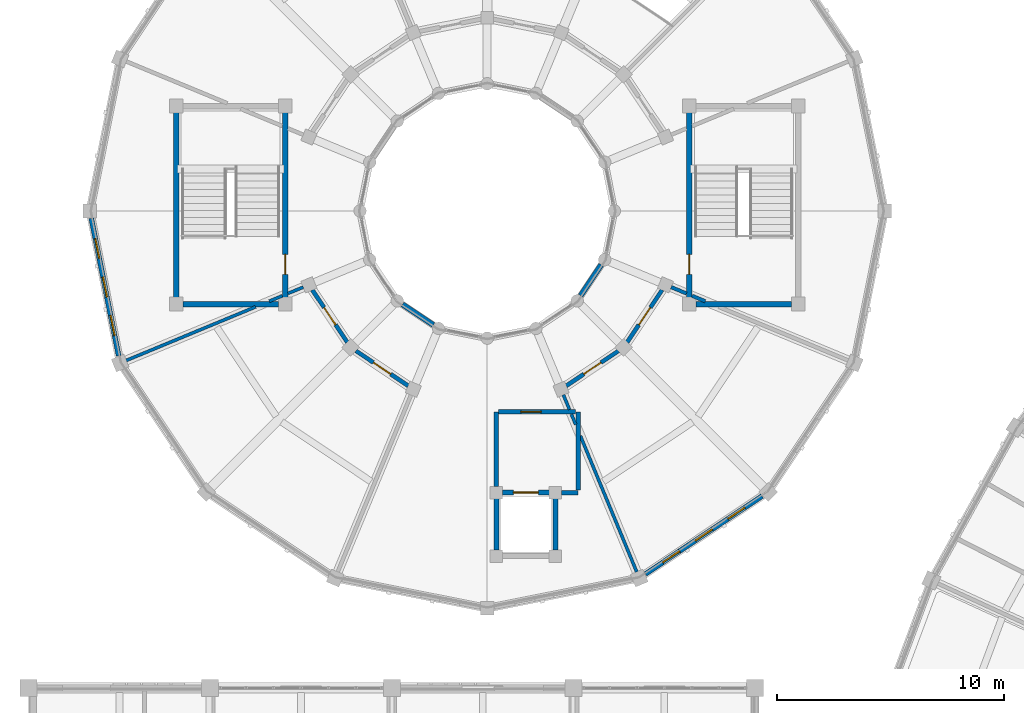
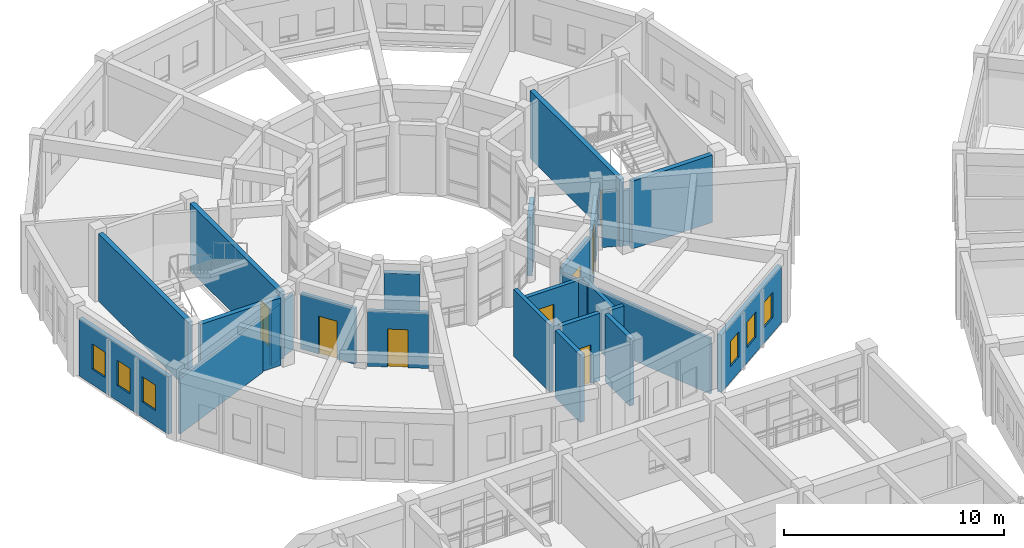
# One storey, part 127 of 159: 28 walls, 8 doors, 6 windows, 14 openings.
"""IFC4 building model written with IfcOpenShell, lengths in metres."""

from ifc_helpers import new_model, si_unit, direction, frame, frame_2d, origin, place, context, subcontext, project, spatial, rectangle, extrude, material, layer, layer_set, type_object, element, fill, save


model = new_model("IFC4")

# Units and contexts
model_context = context("Model", 3, precision=1e-05, world=origin(), true_north=direction((0.0, 1.0)))
body_context = subcontext(model_context, "Body", "Model", "MODEL_VIEW")
ifc_project = project(units=[si_unit("LENGTHUNIT", "METRE"), si_unit("AREAUNIT", "SQUARE_METRE"), si_unit("VOLUMEUNIT", "CUBIC_METRE"), si_unit("PLANEANGLEUNIT", "RADIAN"), si_unit("MASSUNIT", "GRAM", prefix="KILO")], contexts=[model_context])

# Site, building, storey
site_placement = place(None, origin())
site = spatial("IfcSite", under=ifc_project, at=site_placement, CompositionType="ELEMENT")
building_placement = place(site_placement, origin())
building = spatial("IfcBuilding", under=site, at=building_placement, Name="Celadon Cloister-Ring School", CompositionType="ELEMENT")
storey_placement = place(building_placement, frame((0.0, 0.0, 4.5)))
storey = spatial("IfcBuildingStorey", under=building, at=storey_placement, Name="L01", CompositionType="ELEMENT", Elevation=4.5)

# Walls
ifc_material_1 = material(Name="Rendered concrete blockwork", Category="masonry")
ifc_layer_1 = layer(ifc_material_1, 0.239990234375)
ifc_layer_set_1 = layer_set([ifc_layer_1], Name="Rendered concrete blockwork")
wall_type_1 = type_object("IfcWallType", Name="WT-EX3", PredefinedType="SOLIDWALL", material=ifc_layer_set_1)
for number, where, z_axis, x_axis, name in (
    (1, (16.469970703125, 92.885986328125, 0.0), (0.0, 0.0, 1.0), (0.83165874011, -0.555287078904, 0.0), "Exterior Wall 0244"),
    (2, (24.31396484375, 93.27001953125, 0.0), (0.0, 0.0, 1.0), (0.555287078904, 0.83165874011, 0.0), "Exterior Wall 0249"),
):
    element("IfcWall", number, at=place(storey_placement, frame(where, z_axis=z_axis, x_axis=x_axis)), inside=storey, type_object=wall_type_1, Name=name, PredefinedType="SOLIDWALL", context=body_context, shape_type="SweptSolid", body=[
        extrude(rectangle(XDim=1.631591796875, YDim=0.239990234375, at=frame_2d((0.81591796875, 0.0))), origin(), (0.0, 0.0, 1.0), 3.221923828125),
    ])

# Wall, openings, windows
ifc_material_2 = material(Name="Perforated terracotta clay brick masonry", Category="masonry")
ifc_layer_2 = layer(ifc_material_2, 0.219970703125)
ifc_layer_set_2 = layer_set([ifc_layer_2], Name="Perforated terracotta clay brick masonry")
wall_type_2 = type_object("IfcWallType", Name="WT-EX4", PredefinedType="SOLIDWALL", material=ifc_layer_set_2)
wall_1_placement = place(storey_placement, frame((3.968017578125, 90.6259765625, 0.0), z_axis=(0.0, 0.0, 1.0), x_axis=(-0.195164813773, 0.980770460131, 0.0)))
wall_1 = element("IfcWall", 3, at=wall_1_placement, inside=storey, type_object=wall_type_2, Name="Exterior Wall 0241", PredefinedType="SOLIDWALL", context=body_context, shape_type="SweptSolid", body=[
    extrude(rectangle(XDim=6.169677734375, YDim=0.219970703125, at=frame_2d((3.0849609375, 0.0))), origin(), (0.0, 0.0, 1.0), 3.172119140625),
])
opening_1_placement = place(wall_1_placement, frame((0.906982421875, 0.0, 0.85009765625)))
opening_1 = element("IfcOpeningElement", 4, at=opening_1_placement, cuts=wall_1, Name="Opening WN-21", PredefinedType="OPENING", context=body_context, shape_type="SweptSolid", body=[
    extrude(rectangle(XDim=0.89990234375, YDim=1.39990234375, at=frame_2d((0.449951171875, 0.699951171875))), frame((0.0, 0.1201171875, 0.0), z_axis=(0.0, -1.0, 0.0), x_axis=(1.0, 0.0, 0.0)), (0.0, 0.0, 1.0), 0.239990234375),
])
opening_2_placement = place(wall_1_placement, frame((2.635009765625, 0.0, 0.85009765625)))
opening_2 = element("IfcOpeningElement", 5, at=opening_2_placement, cuts=wall_1, Name="Opening WN-21", PredefinedType="OPENING", context=body_context, shape_type="SweptSolid", body=[
    extrude(rectangle(XDim=0.89990234375, YDim=1.39990234375, at=frame_2d((0.449951171875, 0.699951171875))), frame((0.0, 0.1201171875, 0.0), z_axis=(0.0, -1.0, 0.0), x_axis=(1.0, 0.0, 0.0)), (0.0, 0.0, 1.0), 0.239990234375),
])
opening_3_placement = place(wall_1_placement, frame((4.362060546875, 0.0, 0.85009765625)))
opening_3 = element("IfcOpeningElement", 6, at=opening_3_placement, cuts=wall_1, Name="Opening WN-21", PredefinedType="OPENING", context=body_context, shape_type="SweptSolid", body=[
    extrude(rectangle(XDim=0.89990234375, YDim=1.39990234375, at=frame_2d((0.449951171875, 0.699951171875))), frame((0.0, 0.1201171875, 0.0), z_axis=(0.0, -1.0, 0.0), x_axis=(1.0, 0.0, 0.0)), (0.0, 0.0, 1.0), 0.239990234375),
])
ifc_material_3 = material(Name="Tempered laminated insulating glass", Category="glass")
window_type = type_object("IfcWindowType", Name="WN-21", PartitioningType="SINGLE_PANEL", PredefinedType="WINDOW", material=ifc_material_3)
window_1_placement = place(opening_1_placement, origin())
window_1 = element("IfcWindow", 7, at=window_1_placement, inside=storey, type_object=window_type, Name="Window 0643", OverallHeight=1.39990234375, OverallWidth=0.89990234375, PartitioningType="SINGLE_PANEL", PredefinedType="WINDOW", context=body_context, shape_type="SweptSolid", body=[
    extrude(rectangle(XDim=0.89990234375, YDim=1.39990234375, at=frame_2d((0.449951171875, 0.699951171875))), frame((0.0, 0.030029296875, 0.0), z_axis=(0.0, -1.0, 0.0), x_axis=(1.0, 0.0, 0.0)), (0.0, 0.0, 1.0), 0.06005859375),
])
fill(opening_1, window_1)
window_2_placement = place(opening_2_placement, origin())
window_2 = element("IfcWindow", 8, at=window_2_placement, inside=storey, type_object=window_type, Name="Window 0644", OverallHeight=1.39990234375, OverallWidth=0.89990234375, PartitioningType="SINGLE_PANEL", PredefinedType="WINDOW", context=body_context, shape_type="SweptSolid", body=[
    extrude(rectangle(XDim=0.89990234375, YDim=1.39990234375, at=frame_2d((0.449951171875, 0.699951171875))), frame((0.0, 0.030029296875, 0.0), z_axis=(0.0, -1.0, 0.0), x_axis=(1.0, 0.0, 0.0)), (0.0, 0.0, 1.0), 0.06005859375),
])
fill(opening_2, window_2)
window_3_placement = place(opening_3_placement, origin())
window_3 = element("IfcWindow", 9, at=window_3_placement, inside=storey, type_object=window_type, Name="Window 0645", OverallHeight=1.39990234375, OverallWidth=0.89990234375, PartitioningType="SINGLE_PANEL", PredefinedType="WINDOW", context=body_context, shape_type="SweptSolid", body=[
    extrude(rectangle(XDim=0.89990234375, YDim=1.39990234375, at=frame_2d((0.449951171875, 0.699951171875))), frame((0.0, 0.030029296875, 0.0), z_axis=(0.0, -1.0, 0.0), x_axis=(1.0, 0.0, 0.0)), (0.0, 0.0, 1.0), 0.06005859375),
])
fill(opening_3, window_3)

wall_2_placement = place(storey_placement, frame((32.300048828125, 84.443115234375, 0.0), z_axis=(0.0, 0.0, 1.0), x_axis=(-0.831392186772, -0.55568609104, 0.0)))
wall_2 = element("IfcWall", 10, at=wall_2_placement, inside=storey, type_object=wall_type_2, Name="Exterior Wall 0247", PredefinedType="SOLIDWALL", context=body_context, shape_type="SweptSolid", body=[
    extrude(rectangle(XDim=6.16943359375, YDim=0.219970703125, at=frame_2d((3.084716796875, 0.0))), origin(), (0.0, 0.0, 1.0), 3.172119140625),
])
opening_4_placement = place(wall_2_placement, frame((0.906982421875, 0.0, 0.85009765625)))
opening_4 = element("IfcOpeningElement", 11, at=opening_4_placement, cuts=wall_2, Name="Opening WN-21", PredefinedType="OPENING", context=body_context, shape_type="SweptSolid", body=[
    extrude(rectangle(XDim=0.89990234375, YDim=1.39990234375, at=frame_2d((0.449951171875, 0.699951171875))), frame((0.0, 0.1201171875, 0.0), z_axis=(0.0, -1.0, 0.0), x_axis=(1.0, 0.0, 0.0)), (0.0, 0.0, 1.0), 0.239990234375),
])
opening_5_placement = place(wall_2_placement, frame((2.635009765625, 0.0, 0.85009765625)))
opening_5 = element("IfcOpeningElement", 12, at=opening_5_placement, cuts=wall_2, Name="Opening WN-21", PredefinedType="OPENING", context=body_context, shape_type="SweptSolid", body=[
    extrude(rectangle(XDim=0.89990234375, YDim=1.39990234375, at=frame_2d((0.449951171875, 0.699951171875))), frame((0.0, 0.1201171875, 0.0), z_axis=(0.0, -1.0, 0.0), x_axis=(1.0, 0.0, 0.0)), (0.0, 0.0, 1.0), 0.239990234375),
])
opening_6_placement = place(wall_2_placement, frame((4.362060546875, 0.0, 0.85009765625)))
opening_6 = element("IfcOpeningElement", 13, at=opening_6_placement, cuts=wall_2, Name="Opening WN-21", PredefinedType="OPENING", context=body_context, shape_type="SweptSolid", body=[
    extrude(rectangle(XDim=0.89990234375, YDim=1.39990234375, at=frame_2d((0.449951171875, 0.699951171875))), frame((0.0, 0.1201171875, 0.0), z_axis=(0.0, -1.0, 0.0), x_axis=(1.0, 0.0, 0.0)), (0.0, 0.0, 1.0), 0.239990234375),
])
window_4_placement = place(opening_4_placement, origin())
window_4 = element("IfcWindow", 14, at=window_4_placement, inside=storey, type_object=window_type, Name="Window 0658", OverallHeight=1.39990234375, OverallWidth=0.89990234375, PartitioningType="SINGLE_PANEL", PredefinedType="WINDOW", context=body_context, shape_type="SweptSolid", body=[
    extrude(rectangle(XDim=0.89990234375, YDim=1.39990234375, at=frame_2d((0.449951171875, 0.699951171875))), frame((0.0, 0.030029296875, 0.0), z_axis=(0.0, -1.0, 0.0), x_axis=(1.0, 0.0, 0.0)), (0.0, 0.0, 1.0), 0.06005859375),
])
fill(opening_4, window_4)
window_5_placement = place(opening_5_placement, origin())
window_5 = element("IfcWindow", 15, at=window_5_placement, inside=storey, type_object=window_type, Name="Window 0659", OverallHeight=1.39990234375, OverallWidth=0.89990234375, PartitioningType="SINGLE_PANEL", PredefinedType="WINDOW", context=body_context, shape_type="SweptSolid", body=[
    extrude(rectangle(XDim=0.89990234375, YDim=1.39990234375, at=frame_2d((0.449951171875, 0.699951171875))), frame((0.0, 0.030029296875, 0.0), z_axis=(0.0, -1.0, 0.0), x_axis=(1.0, 0.0, 0.0)), (0.0, 0.0, 1.0), 0.06005859375),
])
fill(opening_5, window_5)
window_6_placement = place(opening_6_placement, origin())
window_6 = element("IfcWindow", 16, at=window_6_placement, inside=storey, type_object=window_type, Name="Window 0660", OverallHeight=1.39990234375, OverallWidth=0.89990234375, PartitioningType="SINGLE_PANEL", PredefinedType="WINDOW", context=body_context, shape_type="SweptSolid", body=[
    extrude(rectangle(XDim=0.89990234375, YDim=1.39990234375, at=frame_2d((0.449951171875, 0.699951171875))), frame((0.0, 0.030029296875, 0.0), z_axis=(0.0, -1.0, 0.0), x_axis=(1.0, 0.0, 0.0)), (0.0, 0.0, 1.0), 0.06005859375),
])
fill(opening_6, window_6)

# Walls
ifc_material_4 = material(Name="Plastered hollow concrete masonry", Category="masonry")
ifc_layer_3 = layer(ifc_material_4, 0.199951171875)
ifc_layer_set_3 = layer_set([ifc_layer_3], Name="Plastered hollow concrete masonry")
wall_type_3 = type_object("IfcWallType", Name="WT-PT1", PredefinedType="PARTITIONING", material=ifc_layer_set_3)
wall_3_placement = place(storey_placement, frame((23.467041015625, 84.60009765625, 0.0), z_axis=(0.0, 0.0, 1.0), x_axis=(1.0, 0.0, 0.0)))
element("IfcWall", 17, at=wall_3_placement, inside=storey, type_object=wall_type_3, Name="Interior Wall 0347", PredefinedType="PARTITIONING", context=body_context, shape_type="SweptSolid", body=[
    extrude(rectangle(XDim=0.73291015625, YDim=0.199951171875, at=frame_2d((0.366455078125, 0.0))), origin(), (0.0, 0.0, 1.0), 3.699951171875),
])
wall_4_placement = place(storey_placement, frame((20.60009765625, 84.866943359375, 0.0), z_axis=(0.0, 0.0, 1.0), x_axis=(0.0, 1.0, 0.0)))
element("IfcWall", 18, at=wall_4_placement, inside=storey, type_object=wall_type_3, Name="Interior Wall 0348", PredefinedType="PARTITIONING", context=body_context, shape_type="SweptSolid", body=[
    extrude(rectangle(XDim=3.282958984375, YDim=0.199951171875, at=frame_2d((1.6416015625, 0.0))), origin(), (0.0, 0.0, 1.0), 3.699951171875),
])
wall_5_placement = place(storey_placement, frame((24.199951171875, 84.702880859375, 0.0), z_axis=(0.0, 0.0, 1.0), x_axis=(0.0, 1.0, 0.0)))
element("IfcWall", 19, at=wall_5_placement, inside=storey, type_object=wall_type_3, Name="Interior Wall 0349", PredefinedType="PARTITIONING", context=body_context, shape_type="SweptSolid", body=[
    extrude(rectangle(XDim=3.447021484375, YDim=0.199951171875, at=frame_2d((1.7236328125, 0.0))), origin(), (0.0, 0.0, 1.0), 3.072021484375),
])

# Wall, opening, door
wall_6_placement = place(storey_placement, frame((20.702880859375, 88.14990234375, 0.0), z_axis=(0.0, 0.0, 1.0), x_axis=(1.0, 0.0, 0.0)))
wall_6 = element("IfcWall", 20, at=wall_6_placement, inside=storey, type_object=wall_type_3, Name="Interior Wall 0350", PredefinedType="PARTITIONING", context=body_context, shape_type="SweptSolid", body=[
    extrude(rectangle(XDim=3.39404296875, YDim=0.199951171875, at=frame_2d((1.697021484375, 0.0))), origin(), (0.0, 0.0, 1.0), 3.072021484375),
])
opening_7_placement = place(wall_6_placement, frame((0.97509765625, 0.0, 0.0)))
opening_7 = element("IfcOpeningElement", 21, at=opening_7_placement, cuts=wall_6, Name="Opening D-0102", PredefinedType="OPENING", context=body_context, shape_type="SweptSolid", body=[
    extrude(rectangle(XDim=0.89990234375, YDim=2.199951171875, at=frame_2d((0.449951171875, 1.10009765625))), frame((0.0, 0.10986328125, 0.0), z_axis=(0.0, -1.0, 0.0), x_axis=(1.0, 0.0, 0.0)), (0.0, 0.0, 1.0), 0.219970703125),
])
ifc_material_5 = material(Name="Solid-core fire-rated hardwood leaf", Category="wood")
door_type_1 = type_object("IfcDoorType", Name="DT-06", OperationType="NOTDEFINED", PredefinedType="DOOR", material=ifc_material_5)
door_1_placement = place(opening_7_placement, origin())
door_1 = element("IfcDoor", 22, at=door_1_placement, inside=storey, type_object=door_type_1, Name="Door D-0102", OperationType="SINGLE_SWING_RIGHT", OverallHeight=2.199951171875, OverallWidth=0.89990234375, PredefinedType="DOOR", context=body_context, shape_type="SweptSolid", body=[
    extrude(rectangle(XDim=0.89990234375, YDim=2.199951171875, at=frame_2d((0.449951171875, 1.10009765625))), frame((0.0, 0.02490234375, 0.0), z_axis=(0.0, -1.0, 0.0), x_axis=(1.0, 0.0, 0.0)), (0.0, 0.0, 1.0), 0.050048828125),
])
fill(opening_7, door_1)

ifc_material_6 = material(Name="Plastered hollow concrete masonry", Category="masonry")
ifc_layer_4 = layer(ifc_material_6, 0.179931640625)
ifc_layer_set_4 = layer_set([ifc_layer_4], Name="Plastered hollow concrete masonry")
wall_type_4 = type_object("IfcWallType", Name="WT-PT2", PredefinedType="PARTITIONING", material=ifc_layer_set_4)
wall_7_placement = place(storey_placement, frame((12.498046875, 93.52099609375, 0.0), z_axis=(0.0, 0.0, 1.0), x_axis=(0.555797002478, -0.831318045056, 0.0)))
wall_7 = element("IfcWall", 23, at=wall_7_placement, inside=storey, type_object=wall_type_4, Name="Interior Wall 0694", PredefinedType="PARTITIONING", context=body_context, shape_type="SweptSolid", body=[
    extrude(rectangle(XDim=2.772705078125, YDim=0.179931640625, at=frame_2d((1.38623046875, 0.0))), origin(), (0.0, 0.0, 1.0), 3.072021484375),
])
opening_8_placement = place(wall_7_placement, frame((0.926025390625, 0.0, 0.0)))
opening_8 = element("IfcOpeningElement", 24, at=opening_8_placement, cuts=wall_7, Name="Opening D-0254", PredefinedType="OPENING", context=body_context, shape_type="SweptSolid", body=[
    extrude(rectangle(XDim=0.919921875, YDim=2.10009765625, at=frame_2d((0.4599609375, 1.050048828125))), frame((0.0, 0.10009765625, 0.0), z_axis=(0.0, -1.0, 0.0), x_axis=(1.0, 0.0, 0.0)), (0.0, 0.0, 1.0), 0.199951171875),
])
ifc_material_7 = material(Name="Solid-core fire-rated hardwood leaf", Category="wood")
door_type_2 = type_object("IfcDoorType", Name="DT-02", OperationType="NOTDEFINED", PredefinedType="DOOR", material=ifc_material_7)
door_2_placement = place(opening_8_placement, origin())
door_2 = element("IfcDoor", 25, at=door_2_placement, inside=storey, type_object=door_type_2, Name="Door D-0254", OperationType="SINGLE_SWING_RIGHT", OverallHeight=2.10009765625, OverallWidth=0.919921875, PredefinedType="DOOR", context=body_context, shape_type="SweptSolid", body=[
    extrude(rectangle(XDim=0.919921875, YDim=2.10009765625, at=frame_2d((0.4599609375, 1.050048828125))), frame((0.0, 0.02490234375, 0.0), z_axis=(0.0, -1.0, 0.0), x_axis=(1.0, 0.0, 0.0)), (0.0, 0.0, 1.0), 0.050048828125),
])
fill(opening_8, door_2)

wall_8_placement = place(storey_placement, frame((14.416015625, 90.839111328125, 0.0), z_axis=(0.0, 0.0, 1.0), x_axis=(0.831318045056, -0.555797002478, 0.0)))
wall_8 = element("IfcWall", 26, at=wall_8_placement, inside=storey, type_object=wall_type_4, Name="Interior Wall 0695", PredefinedType="PARTITIONING", context=body_context, shape_type="SweptSolid", body=[
    extrude(rectangle(XDim=2.772705078125, YDim=0.179931640625, at=frame_2d((1.38623046875, 0.0))), origin(), (0.0, 0.0, 1.0), 3.072021484375),
])
opening_9_placement = place(wall_8_placement, frame((0.926025390625, 0.0, 0.0)))
opening_9 = element("IfcOpeningElement", 27, at=opening_9_placement, cuts=wall_8, Name="Opening D-0255", PredefinedType="OPENING", context=body_context, shape_type="SweptSolid", body=[
    extrude(rectangle(XDim=0.919921875, YDim=2.10009765625, at=frame_2d((0.4599609375, 1.050048828125))), frame((0.0, 0.10009765625, 0.0), z_axis=(0.0, -1.0, 0.0), x_axis=(1.0, 0.0, 0.0)), (0.0, 0.0, 1.0), 0.199951171875),
])
door_3_placement = place(opening_9_placement, origin())
door_3 = element("IfcDoor", 28, at=door_3_placement, inside=storey, type_object=door_type_2, Name="Door D-0255", OperationType="SINGLE_SWING_LEFT", OverallHeight=2.10009765625, OverallWidth=0.919921875, PredefinedType="DOOR", context=body_context, shape_type="SweptSolid", body=[
    extrude(rectangle(XDim=0.919921875, YDim=2.10009765625, at=frame_2d((0.4599609375, 1.050048828125))), frame((0.0, 0.02490234375, 0.0), z_axis=(0.0, -1.0, 0.0), x_axis=(1.0, 0.0, 0.0)), (0.0, 0.0, 1.0), 0.050048828125),
])
fill(opening_9, door_3)

wall_9_placement = place(storey_placement, frame((23.678955078125, 89.298095703125, 0.0), z_axis=(0.0, 0.0, 1.0), x_axis=(0.831318045056, 0.555797002478, 0.0)))
wall_9 = element("IfcWall", 29, at=wall_9_placement, inside=storey, type_object=wall_type_4, Name="Interior Wall 0696", PredefinedType="PARTITIONING", context=body_context, shape_type="SweptSolid", body=[
    extrude(rectangle(XDim=2.772705078125, YDim=0.179931640625, at=frame_2d((1.38623046875, 0.0))), origin(), (0.0, 0.0, 1.0), 3.072021484375),
])
opening_10_placement = place(wall_9_placement, frame((0.926025390625, 0.0, 0.0)))
opening_10 = element("IfcOpeningElement", 30, at=opening_10_placement, cuts=wall_9, Name="Opening D-0256", PredefinedType="OPENING", context=body_context, shape_type="SweptSolid", body=[
    extrude(rectangle(XDim=0.919921875, YDim=2.10009765625, at=frame_2d((0.4599609375, 1.050048828125))), frame((0.0, 0.10009765625, 0.0), z_axis=(0.0, -1.0, 0.0), x_axis=(1.0, 0.0, 0.0)), (0.0, 0.0, 1.0), 0.199951171875),
])
door_4_placement = place(opening_10_placement, origin())
door_4 = element("IfcDoor", 31, at=door_4_placement, inside=storey, type_object=door_type_2, Name="Door D-0256", OperationType="SINGLE_SWING_RIGHT", OverallHeight=2.10009765625, OverallWidth=0.919921875, PredefinedType="DOOR", context=body_context, shape_type="SweptSolid", body=[
    extrude(rectangle(XDim=0.919921875, YDim=2.10009765625, at=frame_2d((0.4599609375, 1.050048828125))), frame((0.0, 0.02490234375, 0.0), z_axis=(0.0, -1.0, 0.0), x_axis=(1.0, 0.0, 0.0)), (0.0, 0.0, 1.0), 0.050048828125),
])
fill(opening_10, door_4)

wall_10_placement = place(storey_placement, frame((26.361083984375, 91.216064453125, 0.0), z_axis=(0.0, 0.0, 1.0), x_axis=(0.555797002478, 0.831318045056, 0.0)))
wall_10 = element("IfcWall", 32, at=wall_10_placement, inside=storey, type_object=wall_type_4, Name="Interior Wall 0697", PredefinedType="PARTITIONING", context=body_context, shape_type="SweptSolid", body=[
    extrude(rectangle(XDim=2.772705078125, YDim=0.179931640625, at=frame_2d((1.38623046875, 0.0))), origin(), (0.0, 0.0, 1.0), 3.072021484375),
])
opening_11_placement = place(wall_10_placement, frame((0.926025390625, 0.0, 0.0)))
opening_11 = element("IfcOpeningElement", 33, at=opening_11_placement, cuts=wall_10, Name="Opening D-0257", PredefinedType="OPENING", context=body_context, shape_type="SweptSolid", body=[
    extrude(rectangle(XDim=0.919921875, YDim=2.10009765625, at=frame_2d((0.4599609375, 1.050048828125))), frame((0.0, 0.10009765625, 0.0), z_axis=(0.0, -1.0, 0.0), x_axis=(1.0, 0.0, 0.0)), (0.0, 0.0, 1.0), 0.199951171875),
])
door_5_placement = place(opening_11_placement, origin())
door_5 = element("IfcDoor", 34, at=door_5_placement, inside=storey, type_object=door_type_2, Name="Door D-0257", OperationType="SINGLE_SWING_LEFT", OverallHeight=2.10009765625, OverallWidth=0.919921875, PredefinedType="DOOR", context=body_context, shape_type="SweptSolid", body=[
    extrude(rectangle(XDim=0.919921875, YDim=2.10009765625, at=frame_2d((0.4599609375, 1.050048828125))), frame((0.0, 0.02490234375, 0.0), z_axis=(0.0, -1.0, 0.0), x_axis=(1.0, 0.0, 0.0)), (0.0, 0.0, 1.0), 0.050048828125),
])
fill(opening_11, door_5)

# Walls
ifc_material_8 = material(Name="Plastered hollow concrete masonry", Category="masonry")
ifc_layer_5 = layer(ifc_material_8, 0.159912109375)
ifc_layer_set_5 = layer_set([ifc_layer_5], Name="Plastered hollow concrete masonry")
wall_type_5 = type_object("IfcWallType", Name="WT-PT3", PredefinedType="PARTITIONING", material=ifc_layer_set_5)
wall_11_placement = place(storey_placement, frame((28.300048828125, 93.64501953125, 0.0), z_axis=(0.0, 0.0, 1.0), x_axis=(0.924069600435, -0.382224245113, 0.0)))
element("IfcWall", 35, at=wall_11_placement, inside=storey, type_object=wall_type_5, Name="Interior Wall 0685", PredefinedType="PARTITIONING", context=body_context, shape_type="SweptSolid", body=[
    extrude(rectangle(XDim=0.732666015625, YDim=0.159912109375, at=frame_2d((0.3662109375, 0.0))), origin(), (0.0, 0.0, 1.0), 3.072021484375),
])
wall_12_placement = place(storey_placement, frame((29.222900390625, 93.262939453125, 0.0), z_axis=(0.0, 0.0, 1.0), x_axis=(0.923812676193, -0.382844797933, 0.0)))
element("IfcWall", 36, at=wall_12_placement, inside=storey, type_object=wall_type_5, Name="Interior Wall 0686", PredefinedType="PARTITIONING", context=body_context, shape_type="SweptSolid", body=[
    extrude(rectangle(XDim=0.626953125, YDim=0.159912109375, at=frame_2d((0.3134765625, 0.0))), origin(), (0.0, 0.0, 1.0), 3.072021484375),
])
ifc_material_9 = material(Name="Acoustic mineral-wool drywall partition")
ifc_layer_6 = layer(ifc_material_9, 0.139892578125)
ifc_layer_set_6 = layer_set([ifc_layer_6], Name="Acoustic mineral-wool drywall partition")
wall_type_6 = type_object("IfcWallType", Name="WT-PT4", PredefinedType="PARTITIONING", material=ifc_layer_set_6)
wall_13_placement = place(storey_placement, frame((12.10009765625, 93.64501953125, 0.0), z_axis=(0.0, 0.0, 1.0), x_axis=(-0.924069600435, -0.382224245113, 0.0)))
element("IfcWall", 37, at=wall_13_placement, inside=storey, type_object=wall_type_6, Name="Interior Wall 0678", PredefinedType="PARTITIONING", context=body_context, shape_type="SweptSolid", body=[
    extrude(rectangle(XDim=0.732666015625, YDim=0.139892578125, at=frame_2d((0.3662109375, 0.0))), origin(), (0.0, 0.0, 1.0), 3.072021484375),
])
wall_14_placement = place(storey_placement, frame((11.177001953125, 93.262939453125, 0.0), z_axis=(0.0, 0.0, 1.0), x_axis=(-0.923812676193, -0.382844797933, 0.0)))
element("IfcWall", 38, at=wall_14_placement, inside=storey, type_object=wall_type_6, Name="Interior Wall 0679", PredefinedType="PARTITIONING", context=body_context, shape_type="SweptSolid", body=[
    extrude(rectangle(XDim=0.626953125, YDim=0.139892578125, at=frame_2d((0.3134765625, 0.0))), origin(), (0.0, 0.0, 1.0), 3.072021484375),
])
wall_15_placement = place(storey_placement, frame((10.00390625, 92.777099609375, 0.0), z_axis=(0.0, 0.0, 1.0), x_axis=(-0.923864955254, -0.382718623082, 0.0)))
element("IfcWall", 39, at=wall_15_placement, inside=storey, type_object=wall_type_6, Name="Interior Wall 0680", PredefinedType="PARTITIONING", context=body_context, shape_type="SweptSolid", body=[
    extrude(rectangle(XDim=6.171875, YDim=0.139892578125, at=frame_2d((3.0859375, 0.0))), origin(), (0.0, 0.0, 1.0), 3.072021484375),
])
wall_16_placement = place(storey_placement, frame((23.554931640625, 88.89990234375, 0.0), z_axis=(0.0, 0.0, 1.0), x_axis=(0.38278283439, -0.923838352579, 0.0)))
element("IfcWall", 40, at=wall_16_placement, inside=storey, type_object=wall_type_6, Name="Interior Wall 0682", PredefinedType="PARTITIONING", context=body_context, shape_type="SweptSolid", body=[
    extrude(rectangle(XDim=0.7001953125, YDim=0.139892578125, at=frame_2d((0.35009765625, 0.0))), origin(), (0.0, 0.0, 1.0), 3.072021484375),
])
wall_17_placement = place(storey_placement, frame((23.907958984375, 88.047119140625, 0.0), z_axis=(0.0, 0.0, 1.0), x_axis=(0.3827885685, -0.92383597669, 0.0)))
element("IfcWall", 41, at=wall_17_placement, inside=storey, type_object=wall_type_6, Name="Interior Wall 0683", PredefinedType="PARTITIONING", context=body_context, shape_type="SweptSolid", body=[
    extrude(rectangle(XDim=0.49365234375, YDim=0.139892578125, at=frame_2d((0.246826171875, 0.0))), origin(), (0.0, 0.0, 1.0), 3.072021484375),
])
wall_18_placement = place(storey_placement, frame((24.302978515625, 87.093994140625, 0.0), z_axis=(0.0, 0.0, 1.0), x_axis=(0.382682035927, -0.923880110934, 0.0)))
element("IfcWall", 42, at=wall_18_placement, inside=storey, type_object=wall_type_6, Name="Interior Wall 0684", PredefinedType="PARTITIONING", context=body_context, shape_type="SweptSolid", body=[
    extrude(rectangle(XDim=6.485595703125, YDim=0.139892578125, at=frame_2d((3.24267578125, 0.0))), origin(), (0.0, 0.0, 1.0), 3.072021484375),
])
ifc_material_10 = material(Name="Concrete C40/50", Category="concrete")
ifc_layer_7 = layer(ifc_material_10, 0.239990234375)
ifc_layer_set_7 = layer_set([ifc_layer_7], Name="Concrete C40/50")
wall_type_7 = type_object("IfcWallType", Name="WT-SH1", PredefinedType="SHEAR", material=ifc_layer_set_7)
wall_19_placement = place(storey_placement, frame((6.5, 93.19189453125, 0.0), z_axis=(0.0, 0.0, 1.0), x_axis=(0.0, 1.0, 0.0)))
element("IfcWall", 43, at=wall_19_placement, inside=storey, type_object=wall_type_7, Name="Interior Wall 0085", PredefinedType="SHEAR", context=body_context, shape_type="SweptSolid", body=[
    extrude(rectangle(XDim=8.135986328125, YDim=0.239990234375, at=frame_2d((4.06787109375, 0.0))), origin(), (0.0, 0.0, 1.0), 3.739990234375),
])

# Wall, opening, door
wall_20_placement = place(storey_placement, frame((11.300048828125, 101.327880859375, 0.0), z_axis=(0.0, 0.0, 1.0), x_axis=(0.0, -1.0, 0.0)))
wall_20 = element("IfcWall", 44, at=wall_20_placement, inside=storey, type_object=wall_type_7, Name="Interior Wall 0086", PredefinedType="SHEAR", context=body_context, shape_type="SweptSolid", body=[
    extrude(rectangle(XDim=8.135986328125, YDim=0.239990234375, at=frame_2d((4.06787109375, 0.0))), origin(), (0.0, 0.0, 1.0), 3.739990234375),
])
opening_12_placement = place(wall_20_placement, frame((6.243896484375, 0.0, 0.0)))
opening_12 = element("IfcOpeningElement", 45, at=opening_12_placement, cuts=wall_20, Name="Opening D-0054", PredefinedType="OPENING", context=body_context, shape_type="SweptSolid", body=[
    extrude(rectangle(XDim=0.8798828125, YDim=2.10009765625, at=frame_2d((0.43994140625, 1.050048828125))), frame((0.0, 0.1298828125, 0.0), z_axis=(0.0, -1.0, 0.0), x_axis=(1.0, 0.0, 0.0)), (0.0, 0.0, 1.0), 0.260009765625),
])
ifc_material_11 = material(Name="Solid-core fire-rated hardwood leaf", Category="wood")
door_type_3 = type_object("IfcDoorType", Name="DT-01", OperationType="NOTDEFINED", PredefinedType="DOOR", material=ifc_material_11)
door_6_placement = place(opening_12_placement, origin())
door_6 = element("IfcDoor", 46, at=door_6_placement, inside=storey, type_object=door_type_3, Name="Door D-0054", OperationType="SINGLE_SWING_RIGHT", OverallHeight=2.10009765625, OverallWidth=0.8798828125, PredefinedType="DOOR", context=body_context, shape_type="SweptSolid", body=[
    extrude(rectangle(XDim=0.8798828125, YDim=2.10009765625, at=frame_2d((0.43994140625, 1.050048828125))), frame((0.0, 0.02490234375, 0.0), z_axis=(0.0, -1.0, 0.0), x_axis=(1.0, 0.0, 0.0)), (0.0, 0.0, 1.0), 0.050048828125),
])
fill(opening_12, door_6)

# Wall
wall_21_placement = place(storey_placement, frame((11.008056640625, 92.89990234375, 0.0), z_axis=(0.0, 0.0, 1.0), x_axis=(-1.0, 0.0, 0.0)))
element("IfcWall", 47, at=wall_21_placement, inside=storey, type_object=wall_type_7, Name="Interior Wall 0087", PredefinedType="SHEAR", context=body_context, shape_type="SweptSolid", body=[
    extrude(rectangle(XDim=4.216064453125, YDim=0.239990234375, at=frame_2d((2.10791015625, 0.0))), origin(), (0.0, 0.0, 1.0), 3.739990234375),
])

# Wall, opening, door
wall_22_placement = place(storey_placement, frame((29.10009765625, 93.19189453125, 0.0), z_axis=(0.0, 0.0, 1.0), x_axis=(0.0, 1.0, 0.0)))
wall_22 = element("IfcWall", 48, at=wall_22_placement, inside=storey, type_object=wall_type_7, Name="Interior Wall 0101", PredefinedType="SHEAR", context=body_context, shape_type="SweptSolid", body=[
    extrude(rectangle(XDim=8.135986328125, YDim=0.239990234375, at=frame_2d((4.06787109375, 0.0))), origin(), (0.0, 0.0, 1.0), 3.739990234375),
])
opening_13_placement = place(wall_22_placement, frame((1.011962890625, 0.0, 0.0)))
opening_13 = element("IfcOpeningElement", 49, at=opening_13_placement, cuts=wall_22, Name="Opening D-0058", PredefinedType="OPENING", context=body_context, shape_type="SweptSolid", body=[
    extrude(rectangle(XDim=0.8798828125, YDim=2.10009765625, at=frame_2d((0.43994140625, 1.050048828125))), frame((0.0, 0.1298828125, 0.0), z_axis=(0.0, -1.0, 0.0), x_axis=(1.0, 0.0, 0.0)), (0.0, 0.0, 1.0), 0.260009765625),
])
door_7_placement = place(opening_13_placement, origin())
door_7 = element("IfcDoor", 50, at=door_7_placement, inside=storey, type_object=door_type_3, Name="Door D-0058", OperationType="SINGLE_SWING_RIGHT", OverallHeight=2.10009765625, OverallWidth=0.8798828125, PredefinedType="DOOR", context=body_context, shape_type="SweptSolid", body=[
    extrude(rectangle(XDim=0.8798828125, YDim=2.10009765625, at=frame_2d((0.43994140625, 1.050048828125))), frame((0.0, 0.02490234375, 0.0), z_axis=(0.0, -1.0, 0.0), x_axis=(1.0, 0.0, 0.0)), (0.0, 0.0, 1.0), 0.050048828125),
])
fill(opening_13, door_7)

# Walls
wall_23_placement = place(storey_placement, frame((33.60791015625, 92.89990234375, 0.0), z_axis=(0.0, 0.0, 1.0), x_axis=(-1.0, 0.0, 0.0)))
element("IfcWall", 51, at=wall_23_placement, inside=storey, type_object=wall_type_7, Name="Interior Wall 0103", PredefinedType="SHEAR", context=body_context, shape_type="SweptSolid", body=[
    extrude(rectangle(XDim=4.2158203125, YDim=0.239990234375, at=frame_2d((2.10791015625, 0.0))), origin(), (0.0, 0.0, 1.0), 3.739990234375),
])
ifc_material_12 = material(Name="Concrete C40/50", Category="concrete")
ifc_layer_8 = layer(ifc_material_12, 0.219970703125)
ifc_layer_set_8 = layer_set([ifc_layer_8], Name="Concrete C40/50")
wall_type_8 = type_object("IfcWallType", Name="WT-SH2", PredefinedType="SHEAR", material=ifc_layer_set_8)
wall_24_placement = place(storey_placement, frame((23.199951171875, 82.06689453125, 0.0), z_axis=(0.0, 0.0, 1.0), x_axis=(0.0, 1.0, 0.0)))
element("IfcWall", 52, at=wall_24_placement, inside=storey, type_object=wall_type_8, Name="Interior Wall 0344", PredefinedType="SHEAR", context=body_context, shape_type="SweptSolid", body=[
    extrude(rectangle(XDim=2.26611328125, YDim=0.219970703125, at=frame_2d((1.133056640625, 0.0))), origin(), (0.0, 0.0, 1.0), 3.739990234375),
])

# Wall, opening, door
wall_25_placement = place(storey_placement, frame((22.93310546875, 84.60009765625, 0.0), z_axis=(0.0, 0.0, 1.0), x_axis=(-1.0, 0.0, 0.0)))
wall_25 = element("IfcWall", 53, at=wall_25_placement, inside=storey, type_object=wall_type_8, Name="Interior Wall 0345", PredefinedType="SHEAR", context=body_context, shape_type="SweptSolid", body=[
    extrude(rectangle(XDim=2.066162109375, YDim=0.219970703125, at=frame_2d((1.033203125, 0.0))), origin(), (0.0, 0.0, 1.0), 3.739990234375),
])
opening_14_placement = place(wall_25_placement, frame((0.48291015625, 0.0, 0.0)))
opening_14 = element("IfcOpeningElement", 54, at=opening_14_placement, cuts=wall_25, Name="Opening LD-018", PredefinedType="OPENING", context=body_context, shape_type="SweptSolid", body=[
    extrude(rectangle(XDim=1.10009765625, YDim=2.14990234375, at=frame_2d((0.550048828125, 1.074951171875))), frame((0.0, 0.1201171875, 0.0), z_axis=(0.0, -1.0, 0.0), x_axis=(1.0, 0.0, 0.0)), (0.0, 0.0, 1.0), 0.239990234375),
])
ifc_material_13 = material(Name="Galvanised fire-rated hollow steel leaf", Category="steel")
door_type_4 = type_object("IfcDoorType", Name="DT-LD1", OperationType="DOUBLE_DOOR_SLIDING", PredefinedType="DOOR", material=ifc_material_13)
door_8_placement = place(opening_14_placement, origin())
door_8 = element("IfcDoor", 55, at=door_8_placement, inside=storey, type_object=door_type_4, Name="Door LD-018", OperationType="DOUBLE_DOOR_SLIDING", OverallHeight=2.14990234375, OverallWidth=1.10009765625, PredefinedType="DOOR", context=body_context, shape_type="SweptSolid", body=[
    extrude(rectangle(XDim=1.10009765625, YDim=2.14990234375, at=frame_2d((0.550048828125, 1.074951171875))), frame((0.0, 0.02490234375, 0.0), z_axis=(0.0, -1.0, 0.0), x_axis=(1.0, 0.0, 0.0)), (0.0, 0.0, 1.0), 0.050048828125),
])
fill(opening_14, door_8)

# Wall
wall_26_placement = place(storey_placement, frame((20.60009765625, 84.3330078125, 0.0), z_axis=(0.0, 0.0, 1.0), x_axis=(0.0, -1.0, 0.0)))
element("IfcWall", 56, at=wall_26_placement, inside=storey, type_object=wall_type_8, Name="Interior Wall 0346", PredefinedType="SHEAR", context=body_context, shape_type="SweptSolid", body=[
    extrude(rectangle(XDim=2.26611328125, YDim=0.219970703125, at=frame_2d((1.133056640625, 0.0))), origin(), (0.0, 0.0, 1.0), 3.739990234375),
])

save(model, "model.ifc")
